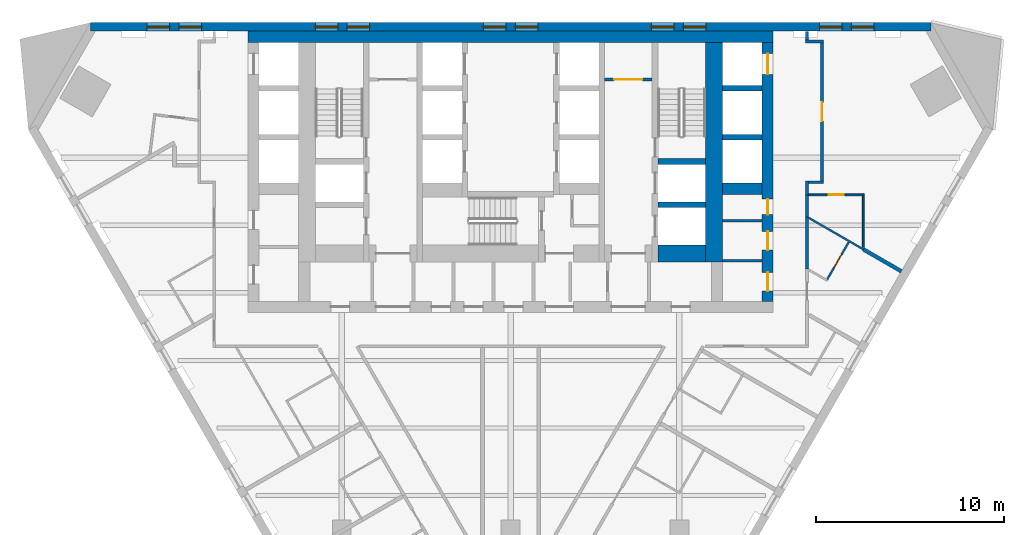
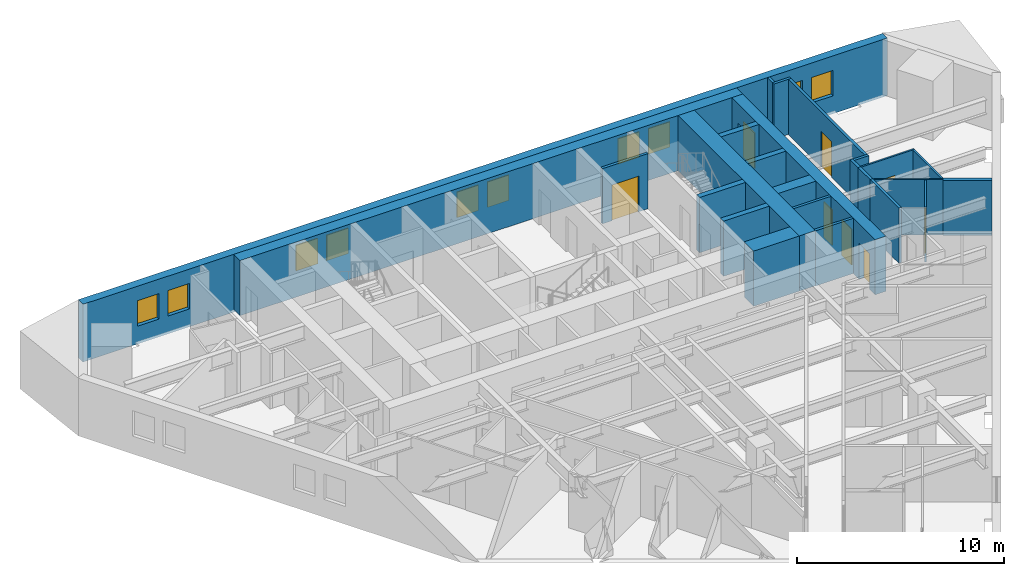
# One storey, part 7 of 10: 25 walls, 10 windows, 8 doors, 18 openings.
"""IFC4 building model written with IfcOpenShell, lengths in metres."""

from ifc_helpers import new_model, si_unit, direction, frame, frame_2d, origin, place, context, subcontext, project, spatial, polyline, rectangle, outline, extrude, material, layer, layer_set, type_object, element, fill, save


model = new_model("IFC4")

# Units and contexts
model_context = context("Model", 3, precision=1e-05, world=origin(), true_north=direction((0.0, 1.0)))
body_context = subcontext(model_context, "Body", "Model", "MODEL_VIEW")
ifc_project = project(units=[si_unit("LENGTHUNIT", "METRE"), si_unit("AREAUNIT", "SQUARE_METRE"), si_unit("VOLUMEUNIT", "CUBIC_METRE"), si_unit("PLANEANGLEUNIT", "RADIAN"), si_unit("MASSUNIT", "GRAM", prefix="KILO")], contexts=[model_context])

# Site, building, storey
site_placement = place(None, origin())
site = spatial("IfcSite", under=ifc_project, at=site_placement, CompositionType="ELEMENT")
building_placement = place(site_placement, origin())
building = spatial("IfcBuilding", under=site, at=building_placement, Name="Aloe Facet Convention Tower", CompositionType="ELEMENT")
storey_placement = place(building_placement, frame((0.0, 0.0, 73.5)))
storey = spatial("IfcBuildingStorey", under=building, at=storey_placement, Name="L17", CompositionType="ELEMENT", Elevation=73.5)

# Wall, opening, door
ifc_material_1 = material(Name="Concrete blockwork partition", Category="masonry")
ifc_layer_1 = layer(ifc_material_1, 0.14990234375)
ifc_layer_set_1 = layer_set([ifc_layer_1], Name="CR-W-PART150")
wall_type_1 = type_object("IfcWallType", Name="CR-W-PART150", PredefinedType="PARTITIONING", material=ifc_layer_set_1)
wall_1_placement = place(storey_placement, frame((85.0, 131.97509765625, 0.0), z_axis=(0.0, 0.0, 1.0), x_axis=(1.0, 0.0, 0.0)))
wall_1 = element("IfcWall", 1, at=wall_1_placement, inside=storey, type_object=wall_type_1, Name="Core partition L17-038", PredefinedType="PARTITIONING", context=body_context, shape_type="SweptSolid", body=[
    extrude(rectangle(XDim=2.550048828125, YDim=0.14990234375, at=frame_2d((1.27490234375, 0.0))), origin(), (0.0, 0.0, 1.0), 3.25),
])
opening_1_placement = place(wall_1_placement, frame((0.52490234375, 0.0, 0.0)))
opening_1 = element("IfcOpeningElement", 2, at=opening_1_placement, cuts=wall_1, Name="Opening L17-CD21", PredefinedType="OPENING", context=body_context, shape_type="SweptSolid", body=[
    extrude(rectangle(XDim=1.5, YDim=2.10009765625, at=frame_2d((0.75, 1.050048828125))), frame((0.0, 0.0849609375, 0.0), z_axis=(0.0, -1.0, 0.0), x_axis=(1.0, 0.0, 0.0)), (0.0, 0.0, 1.0), 0.169921875),
])
ifc_material_2 = material(Name="Steel fire-resisting door set FD60", Category="steel")
door_type_1 = type_object("IfcDoorType", Name="CR-D-REFUGE-1500-FD60-DD", OperationType="DOUBLE_DOOR_DOUBLE_SWING", PredefinedType="DOOR", material=ifc_material_2)
door_1_placement = place(opening_1_placement, origin())
door_1 = element("IfcDoor", 3, at=door_1_placement, inside=storey, type_object=door_type_1, Name="Core door L17-CD21", OperationType="DOUBLE_DOOR_DOUBLE_SWING", OverallHeight=2.10009765625, OverallWidth=1.5, PredefinedType="DOOR", context=body_context, shape_type="SweptSolid", body=[
    extrude(rectangle(XDim=1.5, YDim=2.10009765625, at=frame_2d((0.75, 1.050048828125))), frame((0.0, 0.02490234375, 0.0), z_axis=(0.0, -1.0, 0.0), x_axis=(1.0, 0.0, 0.0)), (0.0, 0.0, 1.0), 0.050048828125),
])
fill(opening_1, door_1)

# Walls
for number, where, z_axis, x_axis, name in (
    (4, (91.300048828125, 124.44873046875, 0.0), (0.0, 0.0, 1.0), (1.0, 0.0, 0.0), "Core partition L17-051"),
    (5, (91.300048828125, 122.309326171875, 0.0), (0.0, 0.0, 1.0), (1.0, 0.0, 0.0), "Core partition L17-052"),
):
    element("IfcWall", number, at=place(storey_placement, frame(where, z_axis=z_axis, x_axis=x_axis)), inside=storey, type_object=wall_type_1, Name=name, PredefinedType="PARTITIONING", context=body_context, shape_type="SweptSolid", body=[
        extrude(rectangle(XDim=2.099853515625, YDim=0.14990234375, at=frame_2d((1.0498046875, 0.0))), origin(), (0.0, 0.0, 1.0), 3.25),
    ])
ifc_material_3 = material(Name="Concrete C80/95", Category="concrete")
ifc_layer_2 = layer(ifc_material_3, 0.300048828125)
ifc_layer_set_2 = layer_set([ifc_layer_2], Name="CR-W-RC300-C8095")
wall_type_2 = type_object("IfcWallType", Name="CR-W-RC300-C8095", PredefinedType="SOLIDWALL", material=ifc_layer_set_2)
for number, where, z_axis, x_axis, name in (
    (6, (87.85009765625, 127.60009765625, 0.0), (0.0, 0.0, 1.0), (1.0, 0.0, 0.0), "Core wall L17-043"),
    (7, (87.85009765625, 125.300048828125, 0.0), (0.0, 0.0, 1.0), (1.0, 0.0, 0.0), "Core wall L17-044"),
):
    element("IfcWall", number, at=place(storey_placement, frame(where, z_axis=z_axis, x_axis=x_axis)), inside=storey, type_object=wall_type_2, Name=name, PredefinedType="SOLIDWALL", context=body_context, shape_type="SweptSolid", body=[
        extrude(rectangle(XDim=2.5498046875, YDim=0.300048828125, at=frame_2d((1.27490234375, 0.0))), origin(), (0.0, 0.0, 1.0), 3.25),
    ])
for number, where, z_axis, x_axis, name in (
    (8, (91.300048828125, 131.5, 0.0), (0.0, 0.0, 1.0), (1.0, 0.0, 0.0), "Core wall L17-048"),
    (9, (91.300048828125, 128.89990234375, 0.0), (0.0, 0.0, 1.0), (1.0, 0.0, 0.0), "Core wall L17-049"),
):
    element("IfcWall", number, at=place(storey_placement, frame(where, z_axis=z_axis, x_axis=x_axis)), inside=storey, type_object=wall_type_2, Name=name, PredefinedType="SOLIDWALL", context=body_context, shape_type="SweptSolid", body=[
        extrude(rectangle(XDim=2.099853515625, YDim=0.300048828125, at=frame_2d((1.0498046875, 0.0))), origin(), (0.0, 0.0, 1.0), 3.25),
    ])
ifc_material_4 = material(Name="Concrete C80/95", Category="concrete")
ifc_layer_3 = layer(ifc_material_4, 0.60009765625)
ifc_layer_set_3 = layer_set([ifc_layer_3], Name="CR-W-RC600-C8095")
wall_type_3 = type_object("IfcWallType", Name="CR-W-RC600-C8095", PredefinedType="SOLIDWALL", material=ifc_layer_set_3)
wall_2_placement = place(storey_placement, frame((66.0, 134.25, 0.0), z_axis=(0.0, 0.0, 1.0), x_axis=(1.0, 0.0, 0.0)))
element("IfcWall", 10, at=wall_2_placement, inside=storey, type_object=wall_type_3, Name="Core wall L17-001", PredefinedType="SOLIDWALL", context=body_context, shape_type="SweptSolid", body=[
    extrude(rectangle(XDim=28.0, YDim=0.60009765625, at=frame_2d((14.0, 0.0))), origin(), (0.0, 0.0, 1.0), 3.25),
])
wall_3_placement = place(storey_placement, frame((91.300048828125, 126.14990234375, 0.0), z_axis=(0.0, 0.0, 1.0), x_axis=(1.0, 0.0, 0.0)))
element("IfcWall", 11, at=wall_3_placement, inside=storey, type_object=wall_type_3, Name="Core wall L17-050", PredefinedType="SOLIDWALL", context=body_context, shape_type="SweptSolid", body=[
    extrude(rectangle(XDim=2.099853515625, YDim=0.60009765625, at=frame_2d((1.0498046875, 0.0))), origin(), (0.0, 0.0, 1.0), 3.25),
])

# Wall, openings, doors
wall_4_placement = place(storey_placement, frame((93.699951171875, 133.949951171875, 0.0), z_axis=(0.0, 0.0, 1.0), x_axis=(0.0, -1.0, 0.0)))
wall_4 = element("IfcWall", 12, at=wall_4_placement, inside=storey, type_object=wall_type_3, Name="Core wall L17-053", PredefinedType="SOLIDWALL", context=body_context, shape_type="SweptSolid", body=[
    extrude(rectangle(XDim=13.800048828125, YDim=0.60009765625, at=frame_2d((6.89990234375, 0.0))), origin(), (0.0, 0.0, 1.0), 3.25),
])
opening_2_placement = place(wall_4_placement, frame((0.60009765625, 0.0, 0.0)))
opening_2 = element("IfcOpeningElement", 13, at=opening_2_placement, cuts=wall_4, Name="Opening LD-A8-L17", PredefinedType="OPENING", context=body_context, shape_type="SweptSolid", body=[
    extrude(rectangle(XDim=1.10009765625, YDim=2.10009765625, at=frame_2d((0.550048828125, 1.050048828125))), frame((0.0, 0.31005859375, 0.0), z_axis=(0.0, -1.0, 0.0), x_axis=(1.0, 0.0, 0.0)), (0.0, 0.0, 1.0), 0.6201171875),
])
opening_3_placement = place(wall_4_placement, frame((8.35009765625, 0.0, 0.0)))
opening_3 = element("IfcOpeningElement", 14, at=opening_3_placement, cuts=wall_4, Name="Opening L17-CD09", PredefinedType="OPENING", context=body_context, shape_type="SweptSolid", body=[
    extrude(rectangle(XDim=0.826416015625, YDim=2.10009765625, at=frame_2d((0.4130859375, 1.050048828125))), frame((0.0, 0.31005859375, 0.0), z_axis=(0.0, -1.0, 0.0), x_axis=(1.0, 0.0, 0.0)), (0.0, 0.0, 1.0), 0.6201171875),
])
opening_4_placement = place(wall_4_placement, frame((10.071044921875, 0.0, 0.0)))
opening_4 = element("IfcOpeningElement", 15, at=opening_4_placement, cuts=wall_4, Name="Opening L17-CD10", PredefinedType="OPENING", context=body_context, shape_type="SweptSolid", body=[
    extrude(rectangle(XDim=1.0, YDim=2.10009765625, at=frame_2d((0.5, 1.050048828125))), frame((0.0, 0.31005859375, 0.0), z_axis=(0.0, -1.0, 0.0), x_axis=(1.0, 0.0, 0.0)), (0.0, 0.0, 1.0), 0.6201171875),
])
opening_5_placement = place(wall_4_placement, frame((12.2578125, 0.0, 0.0)))
opening_5 = element("IfcOpeningElement", 16, at=opening_5_placement, cuts=wall_4, Name="Opening L17-CD11", PredefinedType="OPENING", context=body_context, shape_type="SweptSolid", body=[
    extrude(rectangle(XDim=1.0, YDim=2.10009765625, at=frame_2d((0.5, 1.050048828125))), frame((0.0, 0.31005859375, 0.0), z_axis=(0.0, -1.0, 0.0), x_axis=(1.0, 0.0, 0.0)), (0.0, 0.0, 1.0), 0.6201171875),
])
ifc_material_5 = material(Name="Steel fire-resisting door set FD60", Category="steel")
door_type_2 = type_object("IfcDoorType", Name="CR-D-ROOM-1000-FD60-SLEFT", OperationType="SINGLE_SWING_LEFT", PredefinedType="DOOR", material=ifc_material_5)
door_2_placement = place(opening_4_placement, origin())
door_2 = element("IfcDoor", 17, at=door_2_placement, inside=storey, type_object=door_type_2, Name="Core door L17-CD10", OperationType="SINGLE_SWING_LEFT", OverallHeight=2.10009765625, OverallWidth=1.0, PredefinedType="DOOR", context=body_context, shape_type="SweptSolid", body=[
    extrude(rectangle(XDim=1.0, YDim=2.10009765625, at=frame_2d((0.5, 1.050048828125))), frame((0.0, 0.02490234375, 0.0), z_axis=(0.0, -1.0, 0.0), x_axis=(1.0, 0.0, 0.0)), (0.0, 0.0, 1.0), 0.050048828125),
])
fill(opening_4, door_2)
door_3_placement = place(opening_5_placement, origin())
door_3 = element("IfcDoor", 18, at=door_3_placement, inside=storey, type_object=door_type_2, Name="Core door L17-CD11", OperationType="SINGLE_SWING_LEFT", OverallHeight=2.10009765625, OverallWidth=1.0, PredefinedType="DOOR", context=body_context, shape_type="SweptSolid", body=[
    extrude(rectangle(XDim=1.0, YDim=2.10009765625, at=frame_2d((0.5, 1.050048828125))), frame((0.0, 0.02490234375, 0.0), z_axis=(0.0, -1.0, 0.0), x_axis=(1.0, 0.0, 0.0)), (0.0, 0.0, 1.0), 0.050048828125),
])
fill(opening_5, door_3)
ifc_material_6 = material(Name="Steel fire-resisting door set FD60", Category="steel")
door_type_3 = type_object("IfcDoorType", Name="CR-D-ROOM-826-FD60-SLEFT", OperationType="SINGLE_SWING_LEFT", PredefinedType="DOOR", material=ifc_material_6)
door_4_placement = place(opening_3_placement, origin())
door_4 = element("IfcDoor", 19, at=door_4_placement, inside=storey, type_object=door_type_3, Name="Core door L17-CD09", OperationType="SINGLE_SWING_LEFT", OverallHeight=2.10009765625, OverallWidth=0.826416015625, PredefinedType="DOOR", context=body_context, shape_type="SweptSolid", body=[
    extrude(rectangle(XDim=0.826416015625, YDim=2.10009765625, at=frame_2d((0.4130859375, 1.050048828125))), frame((0.0, 0.02490234375, 0.0), z_axis=(0.0, -1.0, 0.0), x_axis=(1.0, 0.0, 0.0)), (0.0, 0.0, 1.0), 0.050048828125),
])
fill(opening_3, door_4)
ifc_material_7 = material(Name="Stainless steel sliding landing door", Category="steel")
door_type_4 = type_object("IfcDoorType", Name="CR-LD-1100-FD60-_LEFT", OperationType="SLIDING_TO_LEFT", PredefinedType="DOOR", material=ifc_material_7)
door_5_placement = place(opening_2_placement, origin())
door_5 = element("IfcDoor", 20, at=door_5_placement, inside=storey, type_object=door_type_4, Name="Landing door A8 L17", OperationType="SLIDING_TO_LEFT", OverallHeight=2.10009765625, OverallWidth=1.10009765625, PredefinedType="DOOR", context=body_context, shape_type="SweptSolid", body=[
    extrude(rectangle(XDim=1.10009765625, YDim=2.10009765625, at=frame_2d((0.550048828125, 1.050048828125))), frame((0.0, 0.02490234375, 0.0), z_axis=(0.0, -1.0, 0.0), x_axis=(1.0, 0.0, 0.0)), (0.0, 0.0, 1.0), 0.050048828125),
])
fill(opening_2, door_5)

# Walls
ifc_material_8 = material(Name="Concrete C80/95", Category="concrete")
ifc_layer_4 = layer(ifc_material_8, 0.89990234375)
ifc_layer_set_4 = layer_set([ifc_layer_4], Name="CR-W-RC900-C8095")
wall_type_4 = type_object("IfcWallType", Name="CR-W-RC900-C8095", PredefinedType="SOLIDWALL", material=ifc_layer_set_4)
wall_5_placement = place(storey_placement, frame((87.85009765625, 122.699951171875, 0.0), z_axis=(0.0, 0.0, 1.0), x_axis=(1.0, 0.0, 0.0)))
element("IfcWall", 21, at=wall_5_placement, inside=storey, type_object=wall_type_4, Name="Core wall L17-045", PredefinedType="SOLIDWALL", context=body_context, shape_type="SweptSolid", body=[
    extrude(rectangle(XDim=2.5498046875, YDim=0.89990234375, at=frame_2d((1.27490234375, 0.0))), origin(), (0.0, 0.0, 1.0), 3.25),
])
wall_6_placement = place(storey_placement, frame((90.85009765625, 133.949951171875, 0.0), z_axis=(0.0, 0.0, 1.0), x_axis=(0.0, -1.0, 0.0)))
element("IfcWall", 22, at=wall_6_placement, inside=storey, type_object=wall_type_4, Name="Core wall L17-046", PredefinedType="SOLIDWALL", context=body_context, shape_type="SweptSolid", body=[
    extrude(rectangle(XDim=11.699951171875, YDim=0.89990234375, at=frame_2d((5.85009765625, 0.0))), origin(), (0.0, 0.0, 1.0), 3.25),
])

# Wall, openings, windows
ifc_material_9 = material(Name="Precast concrete C40/50", Category="concrete")
ifc_layer_5 = layer(ifc_material_9, 0.449951171875)
ifc_layer_set_5 = layer_set([ifc_layer_5], Name="EV-WALL-STONE")
wall_type_5 = type_object("IfcWallType", Name="EV-WALL-STONE", PredefinedType="SOLIDWALL", material=ifc_layer_set_5)
wall_7_placement = place(storey_placement, frame((102.39990234375, 134.77490234375, -0.14990234375), z_axis=(0.0, 0.0, 1.0), x_axis=(-1.0, 0.0, 0.0)))
wall_7 = element("IfcWall", 23, at=wall_7_placement, inside=storey, type_object=wall_type_5, Name="EW-L17-N01", PredefinedType="SOLIDWALL", context=body_context, shape_type="SweptSolid", body=[
    extrude(outline(polyline([(44.800048828125, 0.0), (44.800048828125, 3.39990234375), (0.0, 3.39990234375), (0.0, 0.0), (44.800048828125, 0.0)])), frame((0.0, 0.22509765625, 0.0), z_axis=(0.0, -1.0, 0.0), x_axis=(1.0, 0.0, 0.0)), (0.0, 0.0, 1.0), 0.449951171875),
])
opening_6_placement = place(wall_7_placement, frame((3.030029296875, 0.0, 1.050048828125)))
opening_6 = element("IfcOpeningElement", 24, at=opening_6_placement, cuts=wall_7, Name="Opening W-L17-N01", PredefinedType="OPENING", context=body_context, shape_type="SweptSolid", body=[
    extrude(rectangle(XDim=1.199951171875, YDim=1.5, at=frame_2d((0.60009765625, 0.75))), frame((0.0, 0.23486328125, 0.0), z_axis=(0.0, -1.0, 0.0), x_axis=(1.0, 0.0, 0.0)), (0.0, 0.0, 1.0), 0.469970703125),
])
opening_7_placement = place(wall_7_placement, frame((4.72998046875, 0.0, 1.050048828125)))
opening_7 = element("IfcOpeningElement", 25, at=opening_7_placement, cuts=wall_7, Name="Opening W-L17-N02", PredefinedType="OPENING", context=body_context, shape_type="SweptSolid", body=[
    extrude(rectangle(XDim=1.199951171875, YDim=1.5, at=frame_2d((0.60009765625, 0.75))), frame((0.0, 0.23486328125, 0.0), z_axis=(0.0, -1.0, 0.0), x_axis=(1.0, 0.0, 0.0)), (0.0, 0.0, 1.0), 0.469970703125),
])
opening_8_placement = place(wall_7_placement, frame((11.989990234375, 0.0, 1.050048828125)))
opening_8 = element("IfcOpeningElement", 26, at=opening_8_placement, cuts=wall_7, Name="Opening W-L17-N03", PredefinedType="OPENING", context=body_context, shape_type="SweptSolid", body=[
    extrude(rectangle(XDim=1.199951171875, YDim=1.5, at=frame_2d((0.60009765625, 0.75))), frame((0.0, 0.23486328125, 0.0), z_axis=(0.0, -1.0, 0.0), x_axis=(1.0, 0.0, 0.0)), (0.0, 0.0, 1.0), 0.469970703125),
])
opening_9_placement = place(wall_7_placement, frame((13.68994140625, 0.0, 1.050048828125)))
opening_9 = element("IfcOpeningElement", 27, at=opening_9_placement, cuts=wall_7, Name="Opening W-L17-N04", PredefinedType="OPENING", context=body_context, shape_type="SweptSolid", body=[
    extrude(rectangle(XDim=1.199951171875, YDim=1.5, at=frame_2d((0.60009765625, 0.75))), frame((0.0, 0.23486328125, 0.0), z_axis=(0.0, -1.0, 0.0), x_axis=(1.0, 0.0, 0.0)), (0.0, 0.0, 1.0), 0.469970703125),
])
opening_10_placement = place(wall_7_placement, frame((20.949951171875, 0.0, 1.050048828125)))
opening_10 = element("IfcOpeningElement", 28, at=opening_10_placement, cuts=wall_7, Name="Opening W-L17-N05", PredefinedType="OPENING", context=body_context, shape_type="SweptSolid", body=[
    extrude(rectangle(XDim=1.199951171875, YDim=1.5, at=frame_2d((0.60009765625, 0.75))), frame((0.0, 0.23486328125, 0.0), z_axis=(0.0, -1.0, 0.0), x_axis=(1.0, 0.0, 0.0)), (0.0, 0.0, 1.0), 0.469970703125),
])
opening_11_placement = place(wall_7_placement, frame((22.64990234375, 0.0, 1.050048828125)))
opening_11 = element("IfcOpeningElement", 29, at=opening_11_placement, cuts=wall_7, Name="Opening W-L17-N06", PredefinedType="OPENING", context=body_context, shape_type="SweptSolid", body=[
    extrude(rectangle(XDim=1.199951171875, YDim=1.5, at=frame_2d((0.60009765625, 0.75))), frame((0.0, 0.23486328125, 0.0), z_axis=(0.0, -1.0, 0.0), x_axis=(1.0, 0.0, 0.0)), (0.0, 0.0, 1.0), 0.469970703125),
])
opening_12_placement = place(wall_7_placement, frame((29.909912109375, 0.0, 1.050048828125)))
opening_12 = element("IfcOpeningElement", 30, at=opening_12_placement, cuts=wall_7, Name="Opening W-L17-N07", PredefinedType="OPENING", context=body_context, shape_type="SweptSolid", body=[
    extrude(rectangle(XDim=1.199951171875, YDim=1.5, at=frame_2d((0.60009765625, 0.75))), frame((0.0, 0.23486328125, 0.0), z_axis=(0.0, -1.0, 0.0), x_axis=(1.0, 0.0, 0.0)), (0.0, 0.0, 1.0), 0.469970703125),
])
opening_13_placement = place(wall_7_placement, frame((31.610107421875, 0.0, 1.050048828125)))
opening_13 = element("IfcOpeningElement", 31, at=opening_13_placement, cuts=wall_7, Name="Opening W-L17-N08", PredefinedType="OPENING", context=body_context, shape_type="SweptSolid", body=[
    extrude(rectangle(XDim=1.199951171875, YDim=1.5, at=frame_2d((0.60009765625, 0.75))), frame((0.0, 0.23486328125, 0.0), z_axis=(0.0, -1.0, 0.0), x_axis=(1.0, 0.0, 0.0)), (0.0, 0.0, 1.0), 0.469970703125),
])
opening_14_placement = place(wall_7_placement, frame((38.8701171875, 0.0, 1.050048828125)))
opening_14 = element("IfcOpeningElement", 32, at=opening_14_placement, cuts=wall_7, Name="Opening W-L17-N09", PredefinedType="OPENING", context=body_context, shape_type="SweptSolid", body=[
    extrude(rectangle(XDim=1.199951171875, YDim=1.5, at=frame_2d((0.60009765625, 0.75))), frame((0.0, 0.23486328125, 0.0), z_axis=(0.0, -1.0, 0.0), x_axis=(1.0, 0.0, 0.0)), (0.0, 0.0, 1.0), 0.469970703125),
])
opening_15_placement = place(wall_7_placement, frame((40.570068359375, 0.0, 1.050048828125)))
opening_15 = element("IfcOpeningElement", 33, at=opening_15_placement, cuts=wall_7, Name="Opening W-L17-N10", PredefinedType="OPENING", context=body_context, shape_type="SweptSolid", body=[
    extrude(rectangle(XDim=1.199951171875, YDim=1.5, at=frame_2d((0.60009765625, 0.75))), frame((0.0, 0.23486328125, 0.0), z_axis=(0.0, -1.0, 0.0), x_axis=(1.0, 0.0, 0.0)), (0.0, 0.0, 1.0), 0.469970703125),
])
ifc_material_10 = material(Name="Aluminium frame, clear double glazing", Category="aluminium")
window_type = type_object("IfcWindowType", Name="EV-WIN-H12", PartitioningType="SINGLE_PANEL", PredefinedType="WINDOW", material=ifc_material_10)
window_1_placement = place(opening_6_placement, origin())
window_1 = element("IfcWindow", 34, at=window_1_placement, inside=storey, type_object=window_type, Name="W-L17-N01", OverallHeight=1.5, OverallWidth=1.199951171875, PartitioningType="SINGLE_PANEL", PredefinedType="WINDOW", context=body_context, shape_type="SweptSolid", body=[
    extrude(rectangle(XDim=1.199951171875, YDim=1.5, at=frame_2d((0.60009765625, 0.75))), frame((0.0, 0.030029296875, 0.0), z_axis=(0.0, -1.0, 0.0), x_axis=(1.0, 0.0, 0.0)), (0.0, 0.0, 1.0), 0.06005859375),
])
fill(opening_6, window_1)
window_2_placement = place(opening_7_placement, origin())
window_2 = element("IfcWindow", 35, at=window_2_placement, inside=storey, type_object=window_type, Name="W-L17-N02", OverallHeight=1.5, OverallWidth=1.199951171875, PartitioningType="SINGLE_PANEL", PredefinedType="WINDOW", context=body_context, shape_type="SweptSolid", body=[
    extrude(rectangle(XDim=1.199951171875, YDim=1.5, at=frame_2d((0.60009765625, 0.75))), frame((0.0, 0.030029296875, 0.0), z_axis=(0.0, -1.0, 0.0), x_axis=(1.0, 0.0, 0.0)), (0.0, 0.0, 1.0), 0.06005859375),
])
fill(opening_7, window_2)
window_3_placement = place(opening_8_placement, origin())
window_3 = element("IfcWindow", 36, at=window_3_placement, inside=storey, type_object=window_type, Name="W-L17-N03", OverallHeight=1.5, OverallWidth=1.199951171875, PartitioningType="SINGLE_PANEL", PredefinedType="WINDOW", context=body_context, shape_type="SweptSolid", body=[
    extrude(rectangle(XDim=1.199951171875, YDim=1.5, at=frame_2d((0.60009765625, 0.75))), frame((0.0, 0.030029296875, 0.0), z_axis=(0.0, -1.0, 0.0), x_axis=(1.0, 0.0, 0.0)), (0.0, 0.0, 1.0), 0.06005859375),
])
fill(opening_8, window_3)
window_4_placement = place(opening_9_placement, origin())
window_4 = element("IfcWindow", 37, at=window_4_placement, inside=storey, type_object=window_type, Name="W-L17-N04", OverallHeight=1.5, OverallWidth=1.199951171875, PartitioningType="SINGLE_PANEL", PredefinedType="WINDOW", context=body_context, shape_type="SweptSolid", body=[
    extrude(rectangle(XDim=1.199951171875, YDim=1.5, at=frame_2d((0.60009765625, 0.75))), frame((0.0, 0.030029296875, 0.0), z_axis=(0.0, -1.0, 0.0), x_axis=(1.0, 0.0, 0.0)), (0.0, 0.0, 1.0), 0.06005859375),
])
fill(opening_9, window_4)
window_5_placement = place(opening_10_placement, origin())
window_5 = element("IfcWindow", 38, at=window_5_placement, inside=storey, type_object=window_type, Name="W-L17-N05", OverallHeight=1.5, OverallWidth=1.199951171875, PartitioningType="SINGLE_PANEL", PredefinedType="WINDOW", context=body_context, shape_type="SweptSolid", body=[
    extrude(rectangle(XDim=1.199951171875, YDim=1.5, at=frame_2d((0.60009765625, 0.75))), frame((0.0, 0.030029296875, 0.0), z_axis=(0.0, -1.0, 0.0), x_axis=(1.0, 0.0, 0.0)), (0.0, 0.0, 1.0), 0.06005859375),
])
fill(opening_10, window_5)
window_6_placement = place(opening_11_placement, origin())
window_6 = element("IfcWindow", 39, at=window_6_placement, inside=storey, type_object=window_type, Name="W-L17-N06", OverallHeight=1.5, OverallWidth=1.199951171875, PartitioningType="SINGLE_PANEL", PredefinedType="WINDOW", context=body_context, shape_type="SweptSolid", body=[
    extrude(rectangle(XDim=1.199951171875, YDim=1.5, at=frame_2d((0.60009765625, 0.75))), frame((0.0, 0.030029296875, 0.0), z_axis=(0.0, -1.0, 0.0), x_axis=(1.0, 0.0, 0.0)), (0.0, 0.0, 1.0), 0.06005859375),
])
fill(opening_11, window_6)
window_7_placement = place(opening_12_placement, origin())
window_7 = element("IfcWindow", 40, at=window_7_placement, inside=storey, type_object=window_type, Name="W-L17-N07", OverallHeight=1.5, OverallWidth=1.199951171875, PartitioningType="SINGLE_PANEL", PredefinedType="WINDOW", context=body_context, shape_type="SweptSolid", body=[
    extrude(rectangle(XDim=1.199951171875, YDim=1.5, at=frame_2d((0.60009765625, 0.75))), frame((0.0, 0.030029296875, 0.0), z_axis=(0.0, -1.0, 0.0), x_axis=(1.0, 0.0, 0.0)), (0.0, 0.0, 1.0), 0.06005859375),
])
fill(opening_12, window_7)
window_8_placement = place(opening_13_placement, origin())
window_8 = element("IfcWindow", 41, at=window_8_placement, inside=storey, type_object=window_type, Name="W-L17-N08", OverallHeight=1.5, OverallWidth=1.199951171875, PartitioningType="SINGLE_PANEL", PredefinedType="WINDOW", context=body_context, shape_type="SweptSolid", body=[
    extrude(rectangle(XDim=1.199951171875, YDim=1.5, at=frame_2d((0.60009765625, 0.75))), frame((0.0, 0.030029296875, 0.0), z_axis=(0.0, -1.0, 0.0), x_axis=(1.0, 0.0, 0.0)), (0.0, 0.0, 1.0), 0.06005859375),
])
fill(opening_13, window_8)
window_9_placement = place(opening_14_placement, origin())
window_9 = element("IfcWindow", 42, at=window_9_placement, inside=storey, type_object=window_type, Name="W-L17-N09", OverallHeight=1.5, OverallWidth=1.199951171875, PartitioningType="SINGLE_PANEL", PredefinedType="WINDOW", context=body_context, shape_type="SweptSolid", body=[
    extrude(rectangle(XDim=1.199951171875, YDim=1.5, at=frame_2d((0.60009765625, 0.75))), frame((0.0, 0.030029296875, 0.0), z_axis=(0.0, -1.0, 0.0), x_axis=(1.0, 0.0, 0.0)), (0.0, 0.0, 1.0), 0.06005859375),
])
fill(opening_14, window_9)
window_10_placement = place(opening_15_placement, origin())
window_10 = element("IfcWindow", 43, at=window_10_placement, inside=storey, type_object=window_type, Name="W-L17-N10", OverallHeight=1.5, OverallWidth=1.199951171875, PartitioningType="SINGLE_PANEL", PredefinedType="WINDOW", context=body_context, shape_type="SweptSolid", body=[
    extrude(rectangle(XDim=1.199951171875, YDim=1.5, at=frame_2d((0.60009765625, 0.75))), frame((0.0, 0.030029296875, 0.0), z_axis=(0.0, -1.0, 0.0), x_axis=(1.0, 0.0, 0.0)), (0.0, 0.0, 1.0), 0.06005859375),
])
fill(opening_15, window_10)

# Walls
ifc_material_11 = material(Name="Gypsum board partition on steel studs", Category="steel")
ifc_layer_6 = layer(ifc_material_11, 0.14990234375)
ifc_layer_set_6 = layer_set([ifc_layer_6], Name="IN-W-CORR")
wall_type_6 = type_object("IfcWallType", Name="IN-W-CORR", PredefinedType="PARTITIONING", material=ifc_layer_set_6)
wall_8_placement = place(storey_placement, frame((95.800048828125, 121.882568359375, 0.0), z_axis=(0.0, 0.0, 1.0), x_axis=(0.0, 1.0, 0.0)))
element("IfcWall", 44, at=wall_8_placement, inside=storey, type_object=wall_type_6, Name="Partition L17-W093", PredefinedType="PARTITIONING", context=body_context, shape_type="SweptSolid", body=[
    extrude(rectangle(XDim=2.771240234375, YDim=0.14990234375, at=frame_2d((1.3857421875, 0.0))), origin(), (0.0, 0.0, 1.0), 3.25),
])
wall_9_placement = place(storey_placement, frame((95.800048828125, 124.65380859375, 0.0), z_axis=(0.0, 0.0, 1.0), x_axis=(0.0, 1.0, 0.0)))
element("IfcWall", 45, at=wall_9_placement, inside=storey, type_object=wall_type_6, Name="Partition L17-W103", PredefinedType="PARTITIONING", context=body_context, shape_type="SweptSolid", body=[
    extrude(rectangle(XDim=1.16796875, YDim=0.14990234375, at=frame_2d((0.583984375, 0.0))), origin(), (0.0, 0.0, 1.0), 3.25),
])
wall_10_placement = place(storey_placement, frame((95.800048828125, 125.82177734375, 0.0), z_axis=(0.0, 0.0, 1.0), x_axis=(0.0, 1.0, 0.0)))
element("IfcWall", 46, at=wall_10_placement, inside=storey, type_object=wall_type_6, Name="Partition L17-W109", PredefinedType="PARTITIONING", context=body_context, shape_type="SweptSolid", body=[
    extrude(rectangle(XDim=0.753173828125, YDim=0.14990234375, at=frame_2d((0.37646484375, 0.0))), origin(), (0.0, 0.0, 1.0), 3.25),
])
wall_11_placement = place(storey_placement, frame((95.875, 126.5, 0.0), z_axis=(0.0, 0.0, 1.0), x_axis=(1.0, 0.0, 0.0)))
element("IfcWall", 47, at=wall_11_placement, inside=storey, type_object=wall_type_6, Name="Partition L17-W110", PredefinedType="PARTITIONING", context=body_context, shape_type="SweptSolid", body=[
    extrude(rectangle(XDim=0.800048828125, YDim=0.14990234375, at=frame_2d((0.39990234375, 0.0))), origin(), (0.0, 0.0, 1.0), 3.25),
])
wall_12_placement = place(storey_placement, frame((95.72509765625, 134.0, 0.0), z_axis=(0.0, 0.0, 1.0), x_axis=(1.0, 0.0, 0.0)))
element("IfcWall", 48, at=wall_12_placement, inside=storey, type_object=wall_type_6, Name="Partition L17-W121", PredefinedType="PARTITIONING", context=body_context, shape_type="SweptSolid", body=[
    extrude(rectangle(XDim=0.949462890625, YDim=0.14990234375, at=frame_2d((0.474609375, 0.0))), origin(), (0.0, 0.0, 1.0), 3.25),
])

# Wall, opening, door
wall_13_placement = place(storey_placement, frame((96.599609375, 133.925048828125, 0.0), z_axis=(0.0, 0.0, 1.0), x_axis=(6.643194e-05, -0.999999997793, 0.0)))
wall_13 = element("IfcWall", 49, at=wall_13_placement, inside=storey, type_object=wall_type_6, Name="Partition L17-W122", PredefinedType="PARTITIONING", context=body_context, shape_type="SweptSolid", body=[
    extrude(rectangle(XDim=7.35009765625, YDim=0.14990234375, at=frame_2d((3.675048828125, 0.0))), origin(), (0.0, 0.0, 1.0), 3.25),
])
opening_16_placement = place(wall_13_placement, frame((3.175048828125, 0.0, 0.0)))
opening_16 = element("IfcOpeningElement", 50, at=opening_16_placement, cuts=wall_13, Name="Opening L17-001", PredefinedType="OPENING", context=body_context, shape_type="SweptSolid", body=[
    extrude(rectangle(XDim=1.0, YDim=2.10009765625, at=frame_2d((0.5, 1.050048828125))), frame((0.0, 0.0849609375, 0.0), z_axis=(0.0, -1.0, 0.0), x_axis=(1.0, 0.0, 0.0)), (0.0, 0.0, 1.0), 0.169921875),
])
ifc_material_12 = material(Name="Hardwood flush door FD30S", Category="wood")
door_type_5 = type_object("IfcDoorType", Name="IN-D-WIDE", OperationType="SINGLE_SWING_LEFT", PredefinedType="DOOR", material=ifc_material_12)
door_6_placement = place(opening_16_placement, origin())
door_6 = element("IfcDoor", 51, at=door_6_placement, inside=storey, type_object=door_type_5, Name="Door L17-001", OperationType="SINGLE_SWING_LEFT", OverallHeight=2.10009765625, OverallWidth=1.0, PredefinedType="DOOR", context=body_context, shape_type="SweptSolid", body=[
    extrude(rectangle(XDim=1.0, YDim=2.10009765625, at=frame_2d((0.5, 1.050048828125))), frame((0.0, 0.02490234375, 0.0), z_axis=(0.0, -1.0, 0.0), x_axis=(1.0, 0.0, 0.0)), (0.0, 0.0, 1.0), 0.050048828125),
])
fill(opening_16, door_6)

# Walls
wall_14_placement = place(storey_placement, frame((95.800048828125, 134.074951171875, 0.0), z_axis=(0.0, 0.0, 1.0), x_axis=(0.0, 1.0, 0.0)))
element("IfcWall", 52, at=wall_14_placement, inside=storey, type_object=wall_type_6, Name="Partition L17-W123", PredefinedType="PARTITIONING", context=body_context, shape_type="SweptSolid", body=[
    extrude(rectangle(XDim=0.465087890625, YDim=0.14990234375, at=frame_2d((0.232421875, 0.0))), origin(), (0.0, 0.0, 1.0), 3.25),
])
ifc_material_13 = material(Name="Gypsum board partition on steel studs", Category="steel")
ifc_layer_7 = layer(ifc_material_13, 0.10009765625)
ifc_layer_set_7 = layer_set([ifc_layer_7], Name="IN-W-PART")
wall_type_7 = type_object("IfcWallType", Name="IN-W-PART", PredefinedType="PARTITIONING", material=ifc_layer_set_7)
wall_15_placement = place(storey_placement, frame((95.88232421875, 124.6064453125, 0.0), z_axis=(0.0, 0.0, 1.0), x_axis=(0.866022675988, -0.500004724652, 0.0)))
element("IfcWall", 53, at=wall_15_placement, inside=storey, type_object=wall_type_7, Name="Partition L17-W098", PredefinedType="PARTITIONING", context=body_context, shape_type="SweptSolid", body=[
    extrude(rectangle(XDim=3.369140625, YDim=0.10009765625, at=frame_2d((1.6845703125, 0.0))), origin(), (0.0, 0.0, 1.0), 3.25),
])

# Wall, opening, door
wall_16_placement = place(storey_placement, frame((96.876708984375, 121.318603515625, 0.0), z_axis=(0.0, 0.0, 1.0), x_axis=(0.499968531483, 0.866043571379, 0.0)))
wall_16 = element("IfcWall", 54, at=wall_16_placement, inside=storey, type_object=wall_type_7, Name="Partition L17-W099", PredefinedType="PARTITIONING", context=body_context, shape_type="SweptSolid", body=[
    extrude(rectangle(XDim=2.290283203125, YDim=0.10009765625, at=frame_2d((1.14501953125, 0.0))), origin(), (0.0, 0.0, 1.0), 3.25),
])
opening_17_placement = place(wall_16_placement, frame((0.7451171875, 0.0, 0.0)))
opening_17 = element("IfcOpeningElement", 55, at=opening_17_placement, cuts=wall_16, Name="Opening L17-030", PredefinedType="OPENING", context=body_context, shape_type="SweptSolid", body=[
    extrude(rectangle(XDim=0.800048828125, YDim=2.10009765625, at=frame_2d((0.39990234375, 1.050048828125))), frame((0.0, 0.06005859375, 0.0), z_axis=(0.0, -1.0, 0.0), x_axis=(1.0, 0.0, 0.0)), (0.0, 0.0, 1.0), 0.1201171875),
])
ifc_material_14 = material(Name="Timber flush door", Category="wood")
door_type_6 = type_object("IfcDoorType", Name="IN-D-BATH", OperationType="SINGLE_SWING_LEFT", PredefinedType="DOOR", material=ifc_material_14)
door_7_placement = place(opening_17_placement, origin())
door_7 = element("IfcDoor", 56, at=door_7_placement, inside=storey, type_object=door_type_6, Name="Door L17-030", OperationType="SINGLE_SWING_LEFT", OverallHeight=2.10009765625, OverallWidth=0.800048828125, PredefinedType="DOOR", context=body_context, shape_type="SweptSolid", body=[
    extrude(rectangle(XDim=0.800048828125, YDim=2.10009765625, at=frame_2d((0.39990234375, 1.050048828125))), frame((0.0, 0.02490234375, 0.0), z_axis=(0.0, -1.0, 0.0), x_axis=(1.0, 0.0, 0.0)), (0.0, 0.0, 1.0), 0.050048828125),
])
fill(opening_17, door_7)

wall_17_placement = place(storey_placement, frame((95.875, 125.82177734375, 0.0), z_axis=(0.0, 0.0, 1.0), x_axis=(1.0, 0.0, 0.0)))
wall_17 = element("IfcWall", 57, at=wall_17_placement, inside=storey, type_object=wall_type_7, Name="Partition L17-W105", PredefinedType="PARTITIONING", context=body_context, shape_type="SweptSolid", body=[
    extrude(rectangle(XDim=2.97509765625, YDim=0.10009765625, at=frame_2d((1.487548828125, 0.0))), origin(), (0.0, 0.0, 1.0), 3.25),
])
opening_18_placement = place(wall_17_placement, frame((1.08740234375, 0.0, 0.0)))
opening_18 = element("IfcOpeningElement", 58, at=opening_18_placement, cuts=wall_17, Name="Opening L17-017", PredefinedType="OPENING", context=body_context, shape_type="SweptSolid", body=[
    extrude(rectangle(XDim=0.800048828125, YDim=2.10009765625, at=frame_2d((0.39990234375, 1.050048828125))), frame((0.0, 0.06005859375, 0.0), z_axis=(0.0, -1.0, 0.0), x_axis=(1.0, 0.0, 0.0)), (0.0, 0.0, 1.0), 0.1201171875),
])
door_8_placement = place(opening_18_placement, origin())
door_8 = element("IfcDoor", 59, at=door_8_placement, inside=storey, type_object=door_type_6, Name="Door L17-017", OperationType="SINGLE_SWING_LEFT", OverallHeight=2.10009765625, OverallWidth=0.800048828125, PredefinedType="DOOR", context=body_context, shape_type="SweptSolid", body=[
    extrude(rectangle(XDim=0.800048828125, YDim=2.10009765625, at=frame_2d((0.39990234375, 1.050048828125))), frame((0.0, 0.02490234375, 0.0), z_axis=(0.0, -1.0, 0.0), x_axis=(1.0, 0.0, 0.0)), (0.0, 0.0, 1.0), 0.050048828125),
])
fill(opening_18, door_8)

# Walls
wall_18_placement = place(storey_placement, frame((98.800048828125, 123.021728515625, 0.0), z_axis=(0.0, 0.0, 1.0), x_axis=(0.0, 1.0, 0.0)))
element("IfcWall", 60, at=wall_18_placement, inside=storey, type_object=wall_type_7, Name="Partition L17-W106", PredefinedType="PARTITIONING", context=body_context, shape_type="SweptSolid", body=[
    extrude(rectangle(XDim=2.75, YDim=0.10009765625, at=frame_2d((1.375, 0.0))), origin(), (0.0, 0.0, 1.0), 3.25),
])
ifc_material_15 = material(Name="Gypsum board partition on steel studs", Category="steel")
ifc_layer_8 = layer(ifc_material_15, 0.199951171875)
ifc_layer_set_8 = layer_set([ifc_layer_8], Name="IN-W-PARTY")
wall_type_8 = type_object("IfcWallType", Name="IN-W-PARTY", PredefinedType="PARTITIONING", material=ifc_layer_set_8)
wall_19_placement = place(storey_placement, frame((98.800048828125, 122.921875, 0.0), z_axis=(0.0, 0.0, 1.0), x_axis=(0.866036444415, -0.49998087658, 0.0)))
element("IfcWall", 61, at=wall_19_placement, inside=storey, type_object=wall_type_8, Name="Partition L17-W100", PredefinedType="PARTITIONING", context=body_context, shape_type="SweptSolid", body=[
    extrude(rectangle(XDim=2.34423828125, YDim=0.199951171875, at=frame_2d((1.172119140625, 0.0))), origin(), (0.0, 0.0, 1.0), 3.25),
])

save(model, "model.ifc")
